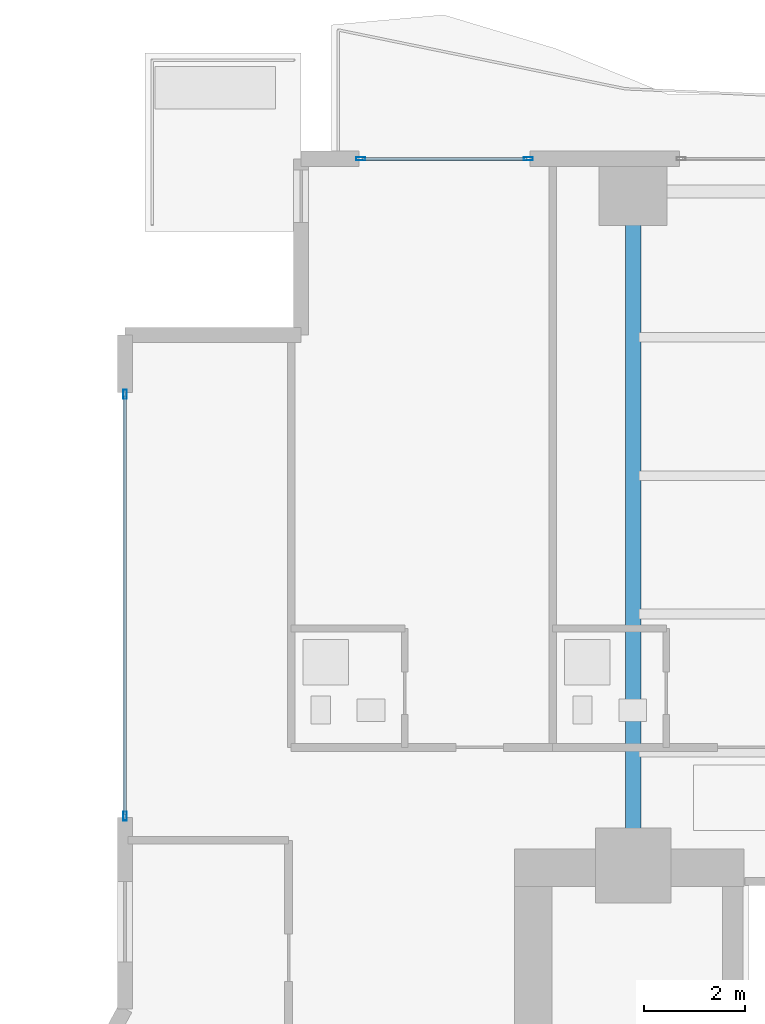
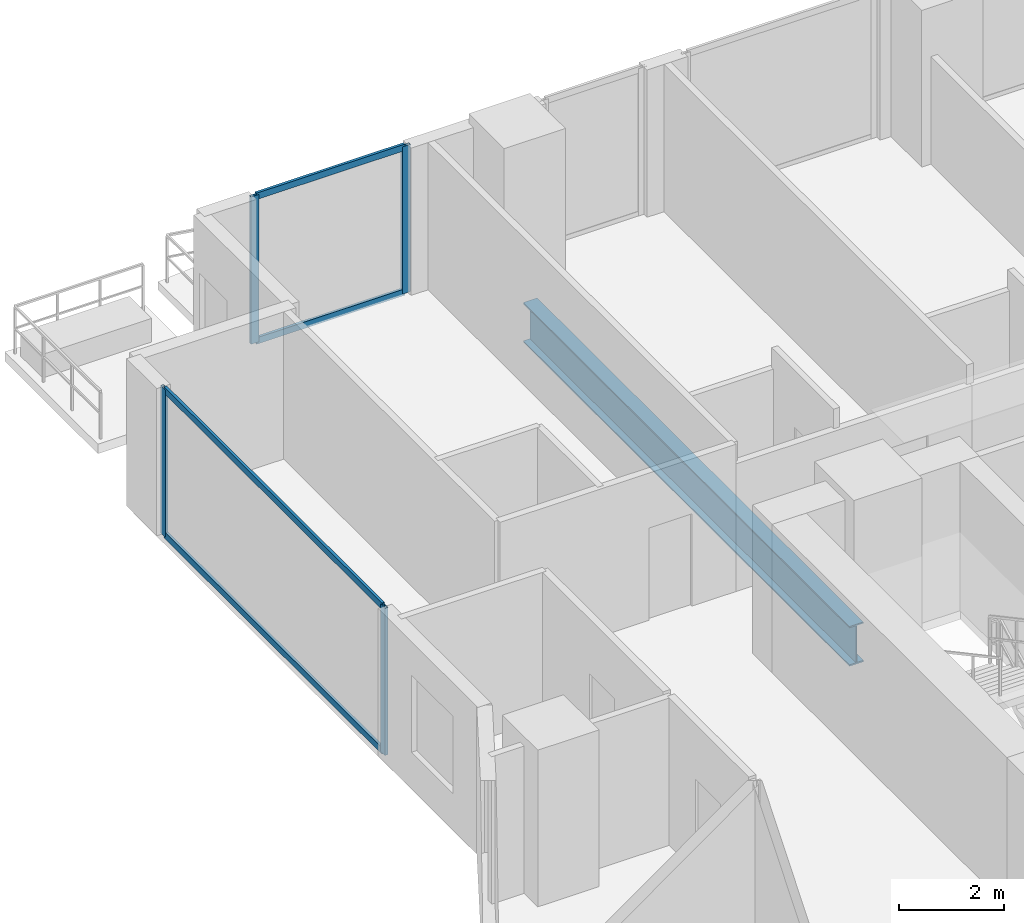
# One storey, part 14 of 28: 8 members, 1 beam, 2 elements without a shape of their own.
"""IFC4 building model written with IfcOpenShell, lengths in metres."""

from ifc_helpers import new_model, si_unit, direction, frame, origin, origin_2d, place, context, subcontext, project, spatial, hollow_rectangle, i_section, extrude, material, layer, layer_set, material_profile, profile_set, type_object, element, aggregate, save


model = new_model("IFC4")

# Units and contexts
model_context = context("Model", 3, precision=1e-05, world=origin(), true_north=direction((0.0, 1.0)))
body_context = subcontext(model_context, "Body", "Model", "MODEL_VIEW")
ifc_project = project(units=[si_unit("LENGTHUNIT", "METRE"), si_unit("AREAUNIT", "SQUARE_METRE"), si_unit("VOLUMEUNIT", "CUBIC_METRE"), si_unit("PLANEANGLEUNIT", "RADIAN"), si_unit("MASSUNIT", "GRAM", prefix="KILO")], contexts=[model_context])

# Site, building, storey
site_placement = place(None, origin())
site = spatial("IfcSite", under=ifc_project, at=site_placement, CompositionType="ELEMENT")
building_placement = place(site_placement, origin())
building = spatial("IfcBuilding", under=site, at=building_placement, Name="Zuhayl Quay Hotel", CompositionType="ELEMENT")
storey_placement = place(building_placement, frame((0.0, 0.0, 110.25)))
storey = spatial("IfcBuildingStorey", under=building, at=storey_placement, Name="L27", CompositionType="ELEMENT", Elevation=110.25)

# Beam
ifc_material_1 = material(Name="Steel ASTM A992 Grade 50", Category="steel")
ifc_material_profile_1 = material_profile(ifc_material_1, i_section(OverallWidth=0.306884765625, OverallDepth=0.927001953125, WebThickness=0.019287109375, FlangeThickness=0.031982421875, at=origin_2d()), Name="W36X194")
ifc_profile_set_1 = profile_set([ifc_material_profile_1], Name="Steel ASTM A992 Grade 50")
beam_type = type_object("IfcBeamType", Name="BM_PG2_W36X194", PredefinedType="BEAM", material=ifc_profile_set_1)
beam_placement = place(storey_placement, frame((-13.800048828125, 14.800048828125, -0.68359375), z_axis=(0.0, 1.0, 0.0), x_axis=(-1.0, 0.0, 0.0)))
element("IfcBeam", 1, at=beam_placement, inside=storey, type_object=beam_type, Name="L27 Floor Beam FG_N_L27_1", PredefinedType="BEAM", context=body_context, shape_type="SweptSolid", body=[
    extrude(i_section(OverallWidth=0.306884765625, OverallDepth=0.927001953125, WebThickness=0.019287109375, FlangeThickness=0.031982421875, at=origin_2d()), origin(), (0.0, 0.0, 1.0), 12.449951171875),
])

# Curtain wall, members
ifc_material_2 = material(Name="Anodised Aluminium 6063-T6", Category="aluminium")
ifc_layer = layer(ifc_material_2, 0.179931640625, Name="Anodised Aluminium 6063-T6", Category="aluminium")
ifc_layer_set = layer_set([ifc_layer], Name="Anodised Aluminium 6063-T6")
curtain_wall_type = type_object("IfcCurtainWallType", Name="CW_SYS_Z2", PredefinedType="USERDEFINED", material=ifc_layer_set)
curtain_wall_1_placement = place(storey_placement, origin())
curtain_wall_1 = element("IfcCurtainWall", 2, at=curtain_wall_1_placement, inside=storey, type_object=curtain_wall_type, Name="L27 Curtain Wall ENV_L27_E05_CW1", ObjectType="UNITISED CURTAIN WALL", PredefinedType="USERDEFINED")
ifc_material_3 = material(Name="Black-anodised aluminium 6063-T6", Category="aluminium")
ifc_material_profile_2 = material_profile(ifc_material_3, hollow_rectangle(XDim=0.06494140625, YDim=0.179931640625, WallThickness=0.00341796875, at=origin_2d()), Name="ALU180X65")
ifc_profile_set_2 = profile_set([ifc_material_profile_2], Name="Black-anodised aluminium 6063-T6")
member_type_1 = type_object("IfcMemberType", Name="MB_CW_MUL_180", PredefinedType="MULLION", material=ifc_profile_set_2)
member_1_placement = place(storey_placement, frame((-23.89990234375, 15.33251953125, 0.0), z_axis=(0.0, 0.0, 1.0), x_axis=(-1.0, 0.0, 0.0)))
member_1 = element("IfcMember", 3, at=member_1_placement, type_object=member_type_1, Name="CW-Z2 mullion 1", PredefinedType="MULLION", context=body_context, shape_type="SweptSolid", body=[
    extrude(hollow_rectangle(XDim=0.06494140625, YDim=0.179931640625, WallThickness=0.00341796875, at=origin_2d()), origin(), (0.0, 0.0, 1.0), 3.429931640625),
])
member_2_placement = place(storey_placement, frame((-23.89990234375, 23.717529296875, 0.0), z_axis=(0.0, 0.0, 1.0), x_axis=(-1.0, 0.0, 0.0)))
member_2 = element("IfcMember", 4, at=member_2_placement, type_object=member_type_1, Name="CW-Z2 mullion 2", PredefinedType="MULLION", context=body_context, shape_type="SweptSolid", body=[
    extrude(hollow_rectangle(XDim=0.06494140625, YDim=0.179931640625, WallThickness=0.00341796875, at=origin_2d()), origin(), (0.0, 0.0, 1.0), 3.429931640625),
])

curtain_wall_2_placement = place(storey_placement, origin())
curtain_wall_2 = element("IfcCurtainWall", 5, at=curtain_wall_2_placement, inside=storey, type_object=curtain_wall_type, Name="L27 Curtain Wall ENV_L27_N_CW1", ObjectType="UNITISED CURTAIN WALL", PredefinedType="USERDEFINED")
member_3_placement = place(storey_placement, frame((-19.217529296875, 28.39990234375, 0.0), z_axis=(0.0, 0.0, 1.0), x_axis=(0.0, 1.0, 0.0)))
member_3 = element("IfcMember", 6, at=member_3_placement, type_object=member_type_1, Name="CW-Z2 mullion 1", PredefinedType="MULLION", context=body_context, shape_type="SweptSolid", body=[
    extrude(hollow_rectangle(XDim=0.06494140625, YDim=0.179931640625, WallThickness=0.00341796875, at=origin_2d()), origin(), (0.0, 0.0, 1.0), 3.429931640625),
])
member_4_placement = place(storey_placement, frame((-15.882568359375, 28.39990234375, 0.0), z_axis=(0.0, 0.0, 1.0), x_axis=(0.0, 1.0, 0.0)))
member_4 = element("IfcMember", 7, at=member_4_placement, type_object=member_type_1, Name="CW-Z2 mullion 2", PredefinedType="MULLION", context=body_context, shape_type="SweptSolid", body=[
    extrude(hollow_rectangle(XDim=0.06494140625, YDim=0.179931640625, WallThickness=0.00341796875, at=origin_2d()), origin(), (0.0, 0.0, 1.0), 3.429931640625),
])

# Member
ifc_material_profile_3 = material_profile(ifc_material_3, hollow_rectangle(XDim=0.06005859375, YDim=0.14990234375, WallThickness=0.00341796875, at=origin_2d()), Name="ALU150X60")
ifc_profile_set_3 = profile_set([ifc_material_profile_3], Name="Black-anodised aluminium 6063-T6")
member_type_2 = type_object("IfcMemberType", Name="MB_CW_TRN_150", PredefinedType="USERDEFINED", material=ifc_profile_set_3)
member_5_placement = place(storey_placement, frame((-23.89990234375, 15.364990234375, 0.030029296875), z_axis=(0.0, 1.0, 0.0), x_axis=(-1.0, 0.0, 0.0)))
member_5 = element("IfcMember", 8, at=member_5_placement, type_object=member_type_2, Name="CW-Z2 transom 1.1", ObjectType="TRANSOM", PredefinedType="USERDEFINED", context=body_context, shape_type="SweptSolid", body=[
    extrude(hollow_rectangle(XDim=0.06005859375, YDim=0.14990234375, WallThickness=0.00341796875, at=origin_2d()), origin(), (0.0, 0.0, 1.0), 8.320068359375),
])

member_6_placement = place(storey_placement, frame((-23.89990234375, 15.364990234375, 3.39990234375), z_axis=(0.0, 1.0, 0.0), x_axis=(-1.0, 0.0, 0.0)))
member_6 = element("IfcMember", 9, at=member_6_placement, type_object=member_type_2, Name="CW-Z2 transom 1.2", ObjectType="TRANSOM", PredefinedType="USERDEFINED", context=body_context, shape_type="SweptSolid", body=[
    extrude(hollow_rectangle(XDim=0.06005859375, YDim=0.14990234375, WallThickness=0.00341796875, at=origin_2d()), origin(), (0.0, 0.0, 1.0), 8.320068359375),
])

aggregate(curtain_wall_1, [member_1, member_2, member_5, member_6])

member_7_placement = place(storey_placement, frame((-19.18505859375, 28.39990234375, 0.030029296875), z_axis=(1.0, 0.0, 0.0), x_axis=(0.0, 1.0, 0.0)))
member_7 = element("IfcMember", 10, at=member_7_placement, type_object=member_type_2, Name="CW-Z2 transom 1.1", ObjectType="TRANSOM", PredefinedType="USERDEFINED", context=body_context, shape_type="SweptSolid", body=[
    extrude(hollow_rectangle(XDim=0.06005859375, YDim=0.14990234375, WallThickness=0.00341796875, at=origin_2d()), origin(), (0.0, 0.0, 1.0), 3.27001953125),
])

member_8_placement = place(storey_placement, frame((-19.18505859375, 28.39990234375, 3.39990234375), z_axis=(1.0, 0.0, 0.0), x_axis=(0.0, 1.0, 0.0)))
member_8 = element("IfcMember", 11, at=member_8_placement, type_object=member_type_2, Name="CW-Z2 transom 1.2", ObjectType="TRANSOM", PredefinedType="USERDEFINED", context=body_context, shape_type="SweptSolid", body=[
    extrude(hollow_rectangle(XDim=0.06005859375, YDim=0.14990234375, WallThickness=0.00341796875, at=origin_2d()), origin(), (0.0, 0.0, 1.0), 3.27001953125),
])

aggregate(curtain_wall_2, [member_3, member_4, member_7, member_8])

save(model, "model.ifc")
